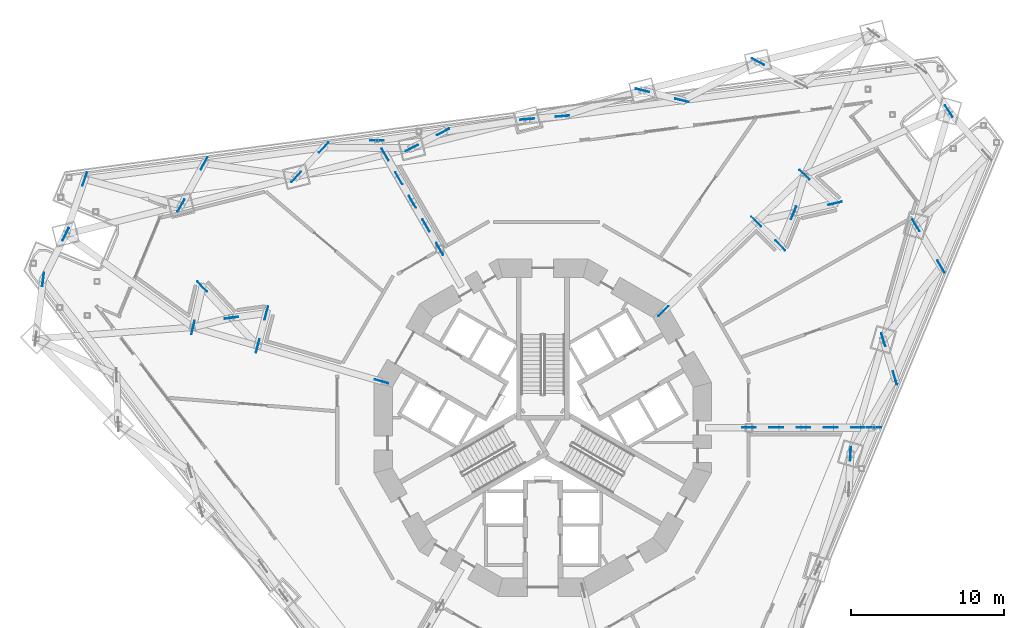
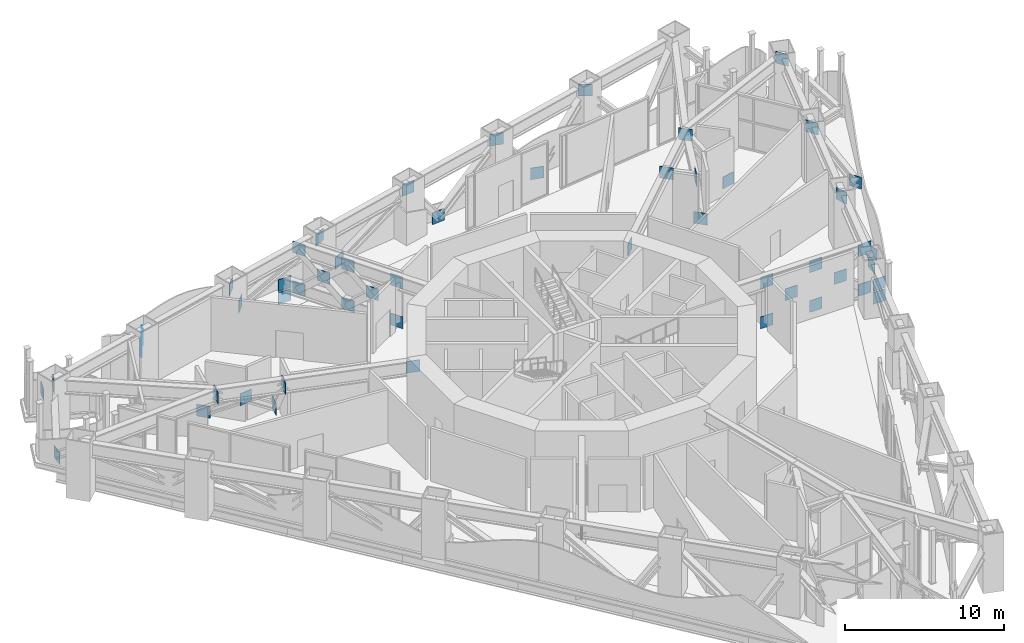
# One storey, part 22 of 31: 52 discrete accessories.
"""IFC4 building model written with IfcOpenShell, lengths in metres."""

from ifc_helpers import new_model, si_unit, direction, frame, origin, origin_2d, place, context, subcontext, project, spatial, rectangle, extrude, material, element, save


model = new_model("IFC4")

# Units and contexts
model_context = context("Model", 3, precision=1e-05, world=origin(), true_north=direction((0.0, 1.0)))
body_context = subcontext(model_context, "Body", "Model", "MODEL_VIEW")
ifc_project = project(units=[si_unit("LENGTHUNIT", "METRE"), si_unit("AREAUNIT", "SQUARE_METRE"), si_unit("VOLUMEUNIT", "CUBIC_METRE"), si_unit("PLANEANGLEUNIT", "RADIAN"), si_unit("MASSUNIT", "GRAM", prefix="KILO")], contexts=[model_context])

# Site, building, storey
site_placement = place(None, origin())
site = spatial("IfcSite", under=ifc_project, at=site_placement, CompositionType="ELEMENT")
building_placement = place(site_placement, origin())
building = spatial("IfcBuilding", under=site, at=building_placement, Name="Trine Commons Tower", CompositionType="ELEMENT")
storey_placement = place(building_placement, frame((0.0, 0.0, 82.800048828125)))
storey = spatial("IfcBuildingStorey", under=building, at=storey_placement, Name="L20", CompositionType="ELEMENT", Elevation=82.800048828125)

# Discrete accessories
ifc_material = material(Name="Structural steel ASTM A572 Gr50", Category="steel")
for number, where, z_axis, x_axis, name in (
    (1, (69.188720703125, 81.225830078125, -0.89990234375), (0.0, 0.0, 1.0), (1.0, 0.0, 0.0), "Gusset plate GP2-02"),
    (2, (101.622802734375, 62.5, -0.89990234375), (0.0, 0.0, 1.0), (1.0, 0.0, 0.0), "Gusset plate GP2-03"),
    (3, (47.4033203125, 72.16552734375, 0.0546875), (0.0, 0.0, 1.0), (-0.124450084957, -0.992225869626, 0.0), "Gusset plate GP2-04"),
    (4, (50.1162109375, 78.71484375, 0.0546875), (0.0, 0.0, 1.0), (-0.326442642894, -0.945217012596, 0.0), "Gusset plate GP2-05"),
    (5, (57.791259765625, 71.69921875, 0.0546875), (0.0, 0.0, 1.0), (0.682508775026, -0.730877398756, 0.0), "Gusset plate GP2-08"),
    (6, (57.9091796875, 79.740966796875, 0.0546875), (0.0, 0.0, 1.0), (-0.481141779278, -0.876642793978, 0.0), "Gusset plate GP2-09"),
    (7, (61.963623046875, 69.970947265625, 0.0546875), (0.0, 0.0, 1.0), (-0.254230610462, -0.967143627754, 0.0), "Gusset plate GP2-11"),
    (8, (65.70263671875, 80.766845703125, 0.0546875), (0.0, 0.0, 1.0), (-0.682814864349, -0.730591446038, 0.0), "Gusset plate GP2-12"),
    (9, (73.495849609375, 81.79296875, 0.0546875), (0.0, 0.0, 1.0), (-0.889392438481, -0.457144496164, 0.0), "Gusset plate GP2-15"),
    (10, (81.2890625, 82.81884765625, 0.0546875), (0.0, 0.0, 1.0), (-0.996310927364, -0.08581687488, 0.0), "Gusset plate GP2-18"),
    (11, (89.08251953125, 83.844970703125, 0.0546875), (0.0, 0.0, 1.0), (-0.969393951574, 0.245510420656, 0.0), "Gusset plate GP2-22"),
    (12, (95.48828125, 74.384521484375, 0.0546875), (0.0, 0.0, 1.0), (-0.710443362789, 0.703754380639, 0.0), "Gusset plate GP2-25"),
    (13, (99.071044921875, 77.1337890625, 0.0546875), (0.0, 0.0, 1.0), (-0.974212781888, -0.2256312381, 0.0), "Gusset plate GP2-28"),
    (14, (102.96826171875, 65.74853515625, 0.0546875), (0.0, 0.0, 1.0), (-0.291303319882, 0.956630741627, 0.0), "Gusset plate GP2-30"),
    (15, (105.976318359375, 73.010498046875, 0.0546875), (0.0, 0.0, 1.0), (-0.518579271458, 0.855029554585, 0.0), "Gusset plate GP2-32"),
    (16, (69.188720703125, 81.225830078125, 0.09619140625), (0.0, 0.0, 1.0), (1.0, 0.0, 0.0), "Gusset plate GP2-35"),
    (17, (69.71728515625, 80.310302734375, 0.09619140625), (0.0, 0.0, 1.0), (-0.500015114919, 0.866016677006, 0.0), "Gusset plate GP2-37"),
    (18, (71.49609375, 77.229248046875, 0.09619140625), (0.0, 0.0, 1.0), (-0.500015114919, 0.866016677006, 0.0), "Gusset plate GP2-39"),
    (19, (73.27490234375, 74.14794921875, 0.09619140625), (0.0, 0.0, 1.0), (-0.5, 0.866025403784, 0.0), "Gusset plate GP2-41"),
    (20, (93.449951171875, 62.5, 0.09619140625), (0.0, 0.0, 1.0), (1.0, 0.0, 0.0), "Gusset plate GP2-42"),
    (21, (97.0078125, 62.5, 0.09619140625), (0.0, 0.0, 1.0), (1.0, 0.0, 0.0), "Gusset plate GP2-43"),
    (22, (100.565673828125, 62.5, 0.09619140625), (0.0, 0.0, 1.0), (1.0, 0.0, 0.0), "Gusset plate GP2-44"),
    (23, (101.622802734375, 62.5, 0.09619140625), (0.0, 0.0, 1.0), (1.0, 0.0, 0.0), "Gusset plate GP2-45"),
    (24, (70.606689453125, 78.769775390625, 1.625), (0.0, 0.0, 1.0), (-0.5, 0.866025403784, 0.0), "Gusset plate GP2-47"),
    (25, (72.385498046875, 75.688720703125, 1.625), (0.0, 0.0, 1.0), (-0.499969769706, 0.866042856549, 0.0), "Gusset plate GP2-49"),
    (26, (95.22900390625, 62.5, 1.625), (0.0, 0.0, 1.0), (1.0, 0.0, 0.0), "Gusset plate GP2-50"),
    (27, (98.78662109375, 62.5, 1.625), (0.0, 0.0, 1.0), (1.0, 0.0, 0.0), "Gusset plate GP2-51"),
    (28, (59.689697265625, 69.66650390625, 1.684326171875), (0.0, 0.0, 1.0), (-0.991153105841, -0.132723474874, 0.0), "Gusset plate GP2-52"),
    (29, (96.361572265625, 76.506103515625, 1.684326171875), (0.0, 0.0, 1.0), (0.380618512438, 0.924732149322, 0.0), "Gusset plate GP2-54"),
    (30, (48.872314453125, 75.113037109375, 3.15380859375), (0.0, 0.0, 1.0), (0.446041610803, 0.895012224181, 0.0), "Gusset plate GP2-56"),
    (31, (56.3994140625, 76.98974609375, 3.15380859375), (0.0, 0.0, 1.0), (-0.481141779278, -0.876642793978, 0.0), "Gusset plate GP2-58"),
    (32, (57.180419921875, 69.04345703125, 3.15380859375), (0.0, 0.0, 1.0), (-0.224168707504, -0.974550353022, 0.0), "Gusset plate GP2-59"),
    (33, (61.401611328125, 67.8330078125, 3.15380859375), (0.0, 0.0, 1.0), (-0.254230610462, -0.967143627754, 0.0), "Gusset plate GP2-61"),
    (34, (63.926513671875, 78.86669921875, 3.15380859375), (0.0, 0.0, 1.0), (-0.682814864349, -0.730591446038, 0.0), "Gusset plate GP2-63"),
    (35, (69.4755859375, 65.517822265625, 3.15380859375), (0.0, 0.0, 1.0), (-0.961261695938, 0.275637355817, 0.0), "Gusset plate GP2-65"),
    (36, (69.71728515625, 80.310302734375, 3.15380859375), (0.0, 0.0, 1.0), (-0.5, 0.866025403784, 0.0), "Gusset plate GP2-67"),
    (37, (71.453857421875, 80.743408203125, 3.15380859375), (0.0, 0.0, 1.0), (-0.889392438481, -0.457144496164, 0.0), "Gusset plate GP2-68"),
    (38, (71.49609375, 77.229248046875, 3.15380859375), (0.0, 0.0, 1.0), (-0.5, 0.866025403784, 0.0), "Gusset plate GP2-70"),
    (39, (73.27490234375, 74.14794921875, 3.15380859375), (0.0, 0.0, 1.0), (-0.499969769706, 0.866042856549, 0.0), "Gusset plate GP2-72"),
    (40, (78.981201171875, 82.6201171875, 3.15380859375), (0.0, 0.0, 1.0), (-0.996310927364, -0.08581687488, 0.0), "Gusset plate GP2-74"),
    (41, (86.50830078125, 84.496826171875, 3.15380859375), (0.0, 0.0, 1.0), (-0.969393951574, 0.245510420656, 0.0), "Gusset plate GP2-80"),
    (42, (87.875732421875, 70.105712890625, 3.15380859375), (0.0, 0.0, 1.0), (0.719339800339, 0.694658370459, 0.0), "Gusset plate GP2-81"),
    (43, (93.449951171875, 62.5, 3.15380859375), (0.0, 0.0, 1.0), (1.0, 0.0, 0.0), "Gusset plate GP2-83"),
    (44, (93.917724609375, 75.940185546875, 3.15380859375), (0.0, 0.0, 1.0), (-0.710443362789, 0.703754380639, 0.0), "Gusset plate GP2-85"),
    (45, (94.035400390625, 86.37353515625, 3.15380859375), (0.0, 0.0, 1.0), (-0.883904428757, 0.467667575126, 0.0), "Gusset plate GP2-86"),
    (46, (97.0078125, 62.5, 3.15380859375), (0.0, 0.0, 1.0), (1.0, 0.0, 0.0), "Gusset plate GP2-88"),
    (47, (97.07666015625, 78.99072265625, 3.15380859375), (0.0, 0.0, 1.0), (-0.731889116256, 0.681423745922, 0.0), "Gusset plate GP2-89"),
    (48, (100.072265625, 60.779541015625, 3.15380859375), (0.0, 0.0, 1.0), (0.048832337332, 0.998806989779, 0.0), "Gusset plate GP2-91"),
    (49, (100.565673828125, 62.5, 3.15380859375), (0.0, 0.0, 1.0), (1.0, 0.0, 0.0), "Gusset plate GP2-92"),
    (50, (102.210693359375, 68.23681640625, 3.15380859375), (0.0, 0.0, 1.0), (-0.291303319882, 0.956630741627, 0.0), "Gusset plate GP2-94"),
    (51, (104.348876953125, 75.69384765625, 3.15380859375), (0.0, 0.0, 1.0), (-0.518579271458, 0.855029554585, 0.0), "Gusset plate GP2-95"),
    (52, (106.4873046875, 83.15087890625, 3.15380859375), (0.0, 0.0, 1.0), (0.552097069724, -0.833779842406, 0.0), "Gusset plate GP2-96"),
):
    element("IfcDiscreteAccessory", number, at=place(storey_placement, frame(where, z_axis=z_axis, x_axis=x_axis)), inside=storey, material=ifc_material, Name=name, PredefinedType="BRACKET", context=body_context, shape_type="SweptSolid", body=[
        extrude(rectangle(XDim=0.89990234375, YDim=0.0400390625, at=origin_2d()), origin(), (0.0, 0.0, 1.0), 0.89990234375),
    ])

save(model, "model.ifc")
